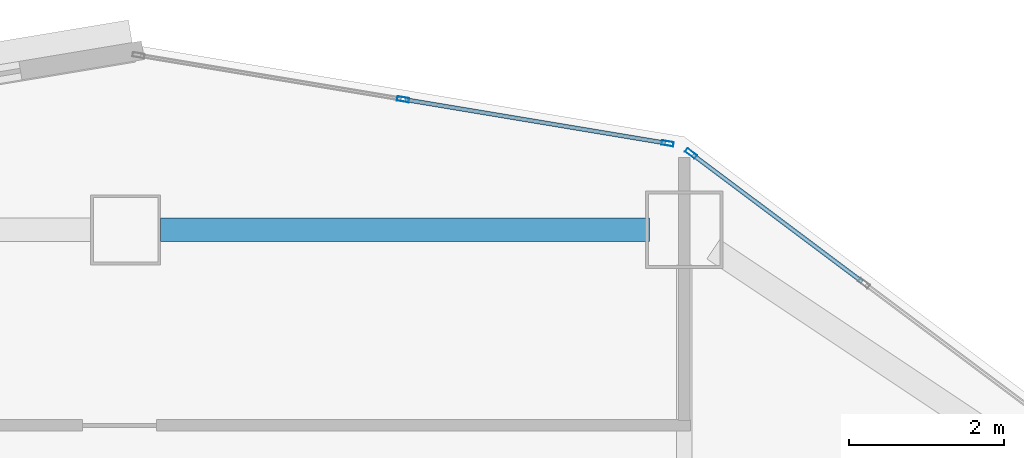
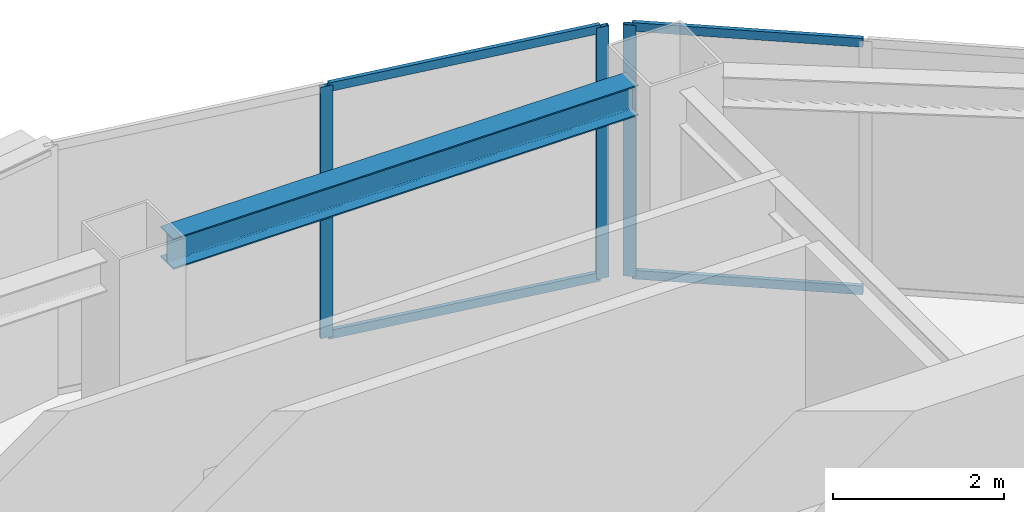
# One storey, part 4 of 14: 7 members, 1 beam, 2 elements without a shape of their own.
"""IFC4 building model written with IfcOpenShell, lengths in metres."""

from ifc_helpers import new_model, si_unit, direction, frame, origin, origin_2d, place, context, subcontext, project, spatial, hollow_rectangle, i_section, extrude, material, layer, layer_set, material_profile, profile_set, type_object, element, aggregate, save


model = new_model("IFC4")

# Units and contexts
model_context = context("Model", 3, precision=1e-05, world=origin(), true_north=direction((0.0, 1.0)))
body_context = subcontext(model_context, "Body", "Model", "MODEL_VIEW")
ifc_project = project(units=[si_unit("LENGTHUNIT", "METRE"), si_unit("AREAUNIT", "SQUARE_METRE"), si_unit("VOLUMEUNIT", "CUBIC_METRE"), si_unit("PLANEANGLEUNIT", "RADIAN"), si_unit("MASSUNIT", "GRAM", prefix="KILO")], contexts=[model_context])

# Site, building, storey
site_placement = place(None, origin())
site = spatial("IfcSite", under=ifc_project, at=site_placement, CompositionType="ELEMENT")
building_placement = place(site_placement, origin())
building = spatial("IfcBuilding", under=site, at=building_placement, Name="Haolan Belvedere Tower", CompositionType="ELEMENT")
storey_placement = place(building_placement, frame((0.0, 0.0, 141.0)))
storey = spatial("IfcBuildingStorey", under=building, at=storey_placement, Name="L35", CompositionType="ELEMENT", Elevation=141.0)

# Beam
ifc_material_1 = material(Name="Steel Q355B", Category="steel")
ifc_material_profile_1 = material_profile(ifc_material_1, i_section(OverallWidth=0.300048828125, OverallDepth=0.43994140625, WebThickness=0.010986328125, FlangeThickness=0.01806640625, FilletRadius=0.02392578125, at=origin_2d()), Name="Steel Q355B")
ifc_profile_set_1 = profile_set([ifc_material_profile_1], Name="Steel Q355B")
beam_type = type_object("IfcBeamType", Name="BM-HM440x300x11x18", PredefinedType="SPANDREL", material=ifc_profile_set_1)
beam_placement = place(storey_placement, frame((38.85009765625, 50.39990234375, 3.3798828125), z_axis=(1.0, 0.0, 0.0), x_axis=(0.0, 1.0, 0.0)))
element("IfcBeam", 1, at=beam_placement, inside=storey, type_object=beam_type, Name="L35 spandrel girder TC-T3-NM-MC-T3-N2", PredefinedType="SPANDREL", context=body_context, shape_type="SweptSolid", body=[
    extrude(i_section(OverallWidth=0.300048828125, OverallDepth=0.43994140625, WebThickness=0.010986328125, FlangeThickness=0.01806640625, FilletRadius=0.02392578125, at=origin_2d()), origin(), (0.0, 0.0, 1.0), 6.2998046875),
])

# Curtain wall, member
ifc_material_2 = material(Name="Anodised champagne-silver aluminium 6063-T6 and Low-E glass", Category="aluminium")
ifc_layer = layer(ifc_material_2, 0.155029296875, Name="Anodised champagne-silver aluminium 6063-T6 and Low-E glass")
ifc_layer_set = layer_set([ifc_layer], Name="Anodised champagne-silver aluminium 6063-T6 and Low-E glass")
curtain_wall_type = type_object("IfcCurtainWallType", Name="CW-SYS-03", PredefinedType="NOTDEFINED", material=ifc_layer_set)
curtain_wall_1_placement = place(storey_placement, origin())
curtain_wall_1 = element("IfcCurtainWall", 2, at=curtain_wall_1_placement, inside=storey, type_object=curtain_wall_type, Name="L35 CW-SYS-03 ribbon curtain wall 26.1", PredefinedType="NOTDEFINED")
ifc_material_3 = material(Name="Anodised aluminium 6063-T6", Category="aluminium")
ifc_material_profile_2 = material_profile(ifc_material_3, hollow_rectangle(XDim=0.05810546875, YDim=0.155029296875, WallThickness=0.00390625, at=origin_2d()), Name="Anodised aluminium 6063-T6")
ifc_profile_set_2 = profile_set([ifc_material_profile_2], Name="Anodised aluminium 6063-T6")
member_type_1 = type_object("IfcMemberType", Name="CW-SYS-03-MUL", PredefinedType="MULLION", material=ifc_profile_set_2)
member_1_placement = place(storey_placement, frame((45.6865234375, 51.385009765625, 0.0), z_axis=(0.0, 0.0, 1.0), x_axis=(-0.599994316874, -0.800004262313, 0.0)))
member_1 = element("IfcMember", 3, at=member_1_placement, type_object=member_type_1, Name="CW-03 mullion 3", PredefinedType="MULLION", context=body_context, shape_type="SweptSolid", body=[
    extrude(hollow_rectangle(XDim=0.05810546875, YDim=0.155029296875, WallThickness=0.00390625, at=origin_2d()), origin(), (0.0, 0.0, 1.0), 3.60009765625),
])

# Curtain wall, members
curtain_wall_2_placement = place(storey_placement, origin())
curtain_wall_2 = element("IfcCurtainWall", 4, at=curtain_wall_2_placement, inside=storey, type_object=curtain_wall_type, Name="L35 CW-SYS-03 ribbon curtain wall 27.1", PredefinedType="NOTDEFINED")
member_2_placement = place(storey_placement, frame((45.384765625, 51.51416015625, 0.0), z_axis=(0.0, 0.0, 1.0), x_axis=(-0.16440364043, -0.9863931483, 0.0)))
member_2 = element("IfcMember", 5, at=member_2_placement, type_object=member_type_1, Name="CW-03 mullion 1", PredefinedType="MULLION", context=body_context, shape_type="SweptSolid", body=[
    extrude(hollow_rectangle(XDim=0.05810546875, YDim=0.155029296875, WallThickness=0.00390625, at=origin_2d()), origin(), (0.0, 0.0, 1.0), 3.60009765625),
])
member_3_placement = place(storey_placement, frame((41.9755859375, 52.082275390625, 0.0), z_axis=(0.0, 0.0, 1.0), x_axis=(-0.16440364043, -0.9863931483, 0.0)))
member_3 = element("IfcMember", 6, at=member_3_placement, type_object=member_type_1, Name="CW-03 mullion 2", PredefinedType="MULLION", context=body_context, shape_type="SweptSolid", body=[
    extrude(hollow_rectangle(XDim=0.05810546875, YDim=0.155029296875, WallThickness=0.00390625, at=origin_2d()), origin(), (0.0, 0.0, 1.0), 3.60009765625),
])

# Member
ifc_material_profile_3 = material_profile(ifc_material_3, hollow_rectangle(XDim=0.053955078125, YDim=0.125, WallThickness=0.00390625, at=origin_2d()), Name="Anodised aluminium 6063-T6")
ifc_profile_set_3 = profile_set([ifc_material_profile_3], Name="Anodised aluminium 6063-T6")
member_type_2 = type_object("IfcMemberType", Name="CW-SYS-03-TRN", PredefinedType="USERDEFINED", material=ifc_profile_set_3)
member_4_placement = place(storey_placement, frame((47.892578125, 49.730712890625, 0.027099609375), z_axis=(-0.800032211306, 0.59995704919, 0.0), x_axis=(-0.59995704919, -0.800032211306, 0.0)))
member_4 = element("IfcMember", 7, at=member_4_placement, type_object=member_type_2, Name="CW-03 transom 2.1", ObjectType="TRANSOM", PredefinedType="USERDEFINED", context=body_context, shape_type="SweptSolid", body=[
    extrude(hollow_rectangle(XDim=0.053955078125, YDim=0.125, WallThickness=0.00390625, at=origin_2d()), origin(), (0.0, 0.0, 1.0), 2.728515625),
])

member_5_placement = place(storey_placement, frame((47.892578125, 49.730712890625, 3.572998046875), z_axis=(-0.800032211306, 0.59995704919, 0.0), x_axis=(-0.59995704919, -0.800032211306, 0.0)))
member_5 = element("IfcMember", 8, at=member_5_placement, type_object=member_type_2, Name="CW-03 transom 2.2", ObjectType="TRANSOM", PredefinedType="USERDEFINED", context=body_context, shape_type="SweptSolid", body=[
    extrude(hollow_rectangle(XDim=0.053955078125, YDim=0.125, WallThickness=0.00390625, at=origin_2d()), origin(), (0.0, 0.0, 1.0), 2.728515625),
])

aggregate(curtain_wall_1, [member_1, member_4, member_5])

member_6_placement = place(storey_placement, frame((45.356201171875, 51.51904296875, 0.027099609375), z_axis=(-0.986395865591, 0.16438733633, 0.0), x_axis=(-0.16438733633, -0.986395865591, 0.0)))
member_6 = element("IfcMember", 9, at=member_6_placement, type_object=member_type_2, Name="CW-03 transom 1.1", ObjectType="TRANSOM", PredefinedType="USERDEFINED", context=body_context, shape_type="SweptSolid", body=[
    extrude(hollow_rectangle(XDim=0.053955078125, YDim=0.125, WallThickness=0.00390625, at=origin_2d()), origin(), (0.0, 0.0, 1.0), 3.39794921875),
])

member_7_placement = place(storey_placement, frame((45.356201171875, 51.51904296875, 3.572998046875), z_axis=(-0.986395865591, 0.16438733633, 0.0), x_axis=(-0.16438733633, -0.986395865591, 0.0)))
member_7 = element("IfcMember", 10, at=member_7_placement, type_object=member_type_2, Name="CW-03 transom 1.2", ObjectType="TRANSOM", PredefinedType="USERDEFINED", context=body_context, shape_type="SweptSolid", body=[
    extrude(hollow_rectangle(XDim=0.053955078125, YDim=0.125, WallThickness=0.00390625, at=origin_2d()), origin(), (0.0, 0.0, 1.0), 3.39794921875),
])

aggregate(curtain_wall_2, [member_2, member_3, member_6, member_7])

save(model, "model.ifc")
